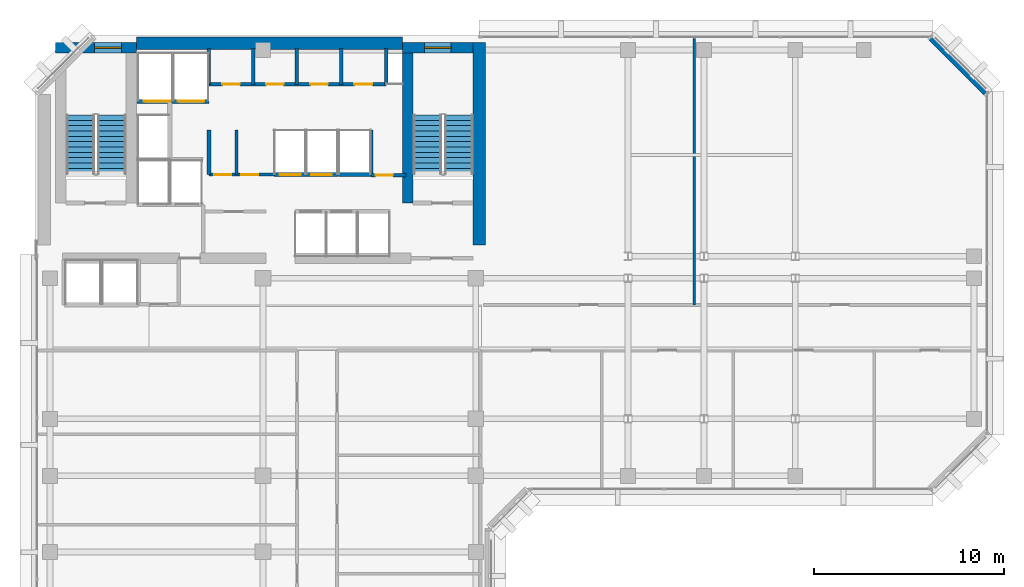
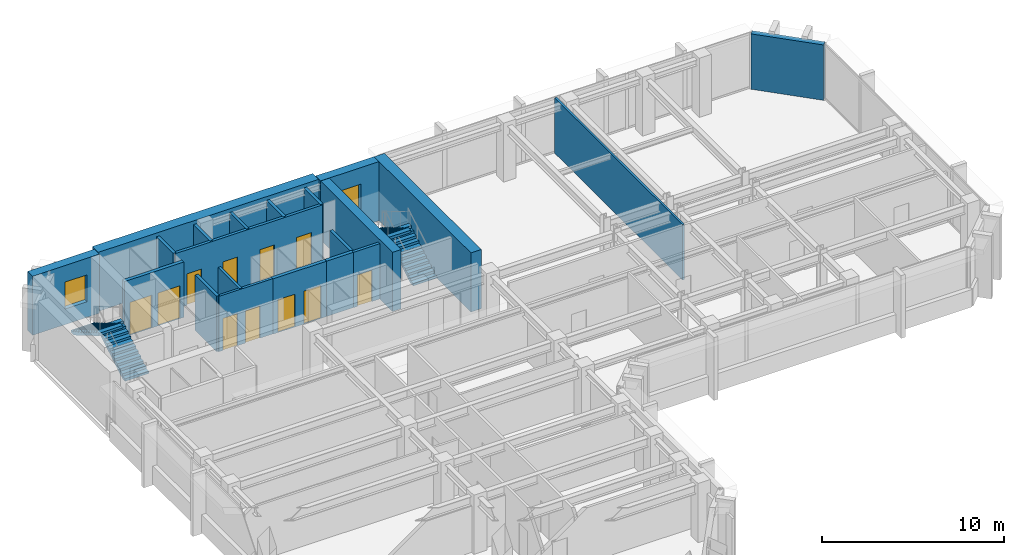
# One storey, part 8 of 12: 21 walls, 11 doors, 4 stair flights, 2 windows, 13 openings, 2 elements without a shape of their own.
"""IFC4 building model written with IfcOpenShell, lengths in metres."""

from ifc_helpers import new_model, si_unit, direction, frame, frame_2d, origin, place, context, subcontext, project, spatial, polyline, rectangle, outline, extrude, material, layer, layer_set, type_object, element, fill, aggregate, save


model = new_model("IFC4")

# Units and contexts
model_context = context("Model", 3, precision=1e-05, world=origin(), true_north=direction((0.0, 1.0)))
body_context = subcontext(model_context, "Body", "Model", "MODEL_VIEW")
ifc_project = project(units=[si_unit("LENGTHUNIT", "METRE"), si_unit("AREAUNIT", "SQUARE_METRE"), si_unit("VOLUMEUNIT", "CUBIC_METRE"), si_unit("PLANEANGLEUNIT", "RADIAN"), si_unit("MASSUNIT", "GRAM", prefix="KILO")], contexts=[model_context])

# Site, building, storey
site_placement = place(None, origin())
site = spatial("IfcSite", under=ifc_project, at=site_placement, CompositionType="ELEMENT")
building_placement = place(site_placement, origin())
building = spatial("IfcBuilding", under=site, at=building_placement, Name="Kefirva Bronze Tower", CompositionType="ELEMENT")
storey_placement = place(building_placement, frame((0.0, 0.0, 211.199951171875)))
storey = spatial("IfcBuildingStorey", under=building, at=storey_placement, Name="L51", CompositionType="ELEMENT", Elevation=211.199951171875)

# Wall
ifc_material_1 = material(Name="Gypsum acoustic partition")
ifc_layer_1 = layer(ifc_material_1, 0.1298828125, Name="Gypsum acoustic partition")
ifc_layer_set_1 = layer_set([ifc_layer_1], Name="Gypsum acoustic partition")
wall_type_1 = type_object("IfcWallType", Name="Acoustic Office Partition 130mm", PredefinedType="PARTITIONING", material=ifc_layer_set_1)
wall_1_placement = place(storey_placement, frame((34.692138671875, 31.800048828125, 0.0), z_axis=(0.0, 0.0, 1.0), x_axis=(0.0, 1.0, 0.0)))
element("IfcWall", 1, at=wall_1_placement, inside=storey, type_object=wall_type_1, Name="L51 Partition W-L51-END1", PredefinedType="PARTITIONING", context=body_context, shape_type="SweptSolid", body=[
    extrude(rectangle(XDim=14.010009765625, YDim=0.1298828125, at=frame_2d((7.0048828125, 0.0))), origin(), (0.0, 0.0, 1.0), 3.7099609375),
])

# Wall, openings, doors
ifc_material_2 = material(Name="Gypsum fireboard shaftwall")
ifc_layer_2 = layer(ifc_material_2, 0.219970703125, Name="Gypsum fireboard shaftwall")
ifc_layer_set_2 = layer_set([ifc_layer_2], Name="Gypsum fireboard shaftwall")
wall_type_2 = type_object("IfcWallType", Name="Fire-Rated Shaft Enclosure Wall 220mm", PredefinedType="PARTITIONING", material=ifc_layer_set_2)
wall_2_placement = place(storey_placement, frame((5.3798828125, 42.5, 0.0), z_axis=(0.0, 0.0, 1.0), x_axis=(1.0, 0.0, 0.0)))
wall_2 = element("IfcWall", 2, at=wall_2_placement, inside=storey, type_object=wall_type_2, Name="L51 Partition W-L51-SVS", PredefinedType="PARTITIONING", context=body_context, shape_type="SweptSolid", body=[
    extrude(rectangle(XDim=3.77001953125, YDim=0.219970703125, at=frame_2d((1.885009765625, 0.0))), origin(), (0.0, 0.0, 1.0), 3.7099609375),
])
opening_1_placement = place(wall_2_placement, frame((1.75, 0.0, 0.0), z_axis=(0.0, 0.0, 1.0), x_axis=(-1.0, 0.0, 0.0)))
opening_1 = element("IfcOpeningElement", 3, at=opening_1_placement, cuts=wall_2, Name="Opening L51-LD-SV1", PredefinedType="OPENING", context=body_context, shape_type="SweptSolid", body=[
    extrude(rectangle(XDim=1.39990234375, YDim=2.199951171875, at=frame_2d((0.699951171875, 1.10009765625))), frame((0.0, 0.1201171875, 0.0), z_axis=(0.0, -1.0, 0.0), x_axis=(1.0, 0.0, 0.0)), (0.0, 0.0, 1.0), 0.239990234375),
])
opening_2_placement = place(wall_2_placement, frame((3.52978515625, 0.0, 0.0), z_axis=(0.0, 0.0, 1.0), x_axis=(-1.0, 0.0, 0.0)))
opening_2 = element("IfcOpeningElement", 4, at=opening_2_placement, cuts=wall_2, Name="Opening L51-LD-SV2", PredefinedType="OPENING", context=body_context, shape_type="SweptSolid", body=[
    extrude(rectangle(XDim=1.39990234375, YDim=2.199951171875, at=frame_2d((0.699951171875, 1.10009765625))), frame((0.0, 0.1201171875, 0.0), z_axis=(0.0, -1.0, 0.0), x_axis=(1.0, 0.0, 0.0)), (0.0, 0.0, 1.0), 0.239990234375),
])
ifc_material_3 = material(Name="Stainless steel 316", Category="steel")
door_type_1 = type_object("IfcDoorType", Name="Goods Lift Bi-Parting Sliding Door 1400x2200", OperationType="SLIDING_TO_LEFT", PredefinedType="DOOR", material=ifc_material_3)
door_1_placement = place(opening_1_placement, origin())
door_1 = element("IfcDoor", 5, at=door_1_placement, inside=storey, type_object=door_type_1, Name="Door L51-LD-SV1", OperationType="SLIDING_TO_LEFT", OverallHeight=2.199951171875, OverallWidth=1.39990234375, PredefinedType="DOOR", context=body_context, shape_type="SweptSolid", body=[
    extrude(rectangle(XDim=1.39990234375, YDim=2.199951171875, at=frame_2d((0.699951171875, 1.10009765625))), frame((0.0, 0.02490234375, 0.0), z_axis=(0.0, -1.0, 0.0), x_axis=(1.0, 0.0, 0.0)), (0.0, 0.0, 1.0), 0.050048828125),
])
fill(opening_1, door_1)
door_2_placement = place(opening_2_placement, origin())
door_2 = element("IfcDoor", 6, at=door_2_placement, inside=storey, type_object=door_type_1, Name="Door L51-LD-SV2", OperationType="SLIDING_TO_LEFT", OverallHeight=2.199951171875, OverallWidth=1.39990234375, PredefinedType="DOOR", context=body_context, shape_type="SweptSolid", body=[
    extrude(rectangle(XDim=1.39990234375, YDim=2.199951171875, at=frame_2d((0.699951171875, 1.10009765625))), frame((0.0, 0.02490234375, 0.0), z_axis=(0.0, -1.0, 0.0), x_axis=(1.0, 0.0, 0.0)), (0.0, 0.0, 1.0), 0.050048828125),
])
fill(opening_2, door_2)

# Walls
for number, where, z_axis, x_axis, name in (
    (7, (9.159912109375, 38.64990234375, 0.0), (0.0, 0.0, 1.0), (0.0, 1.0, 0.0), "L51 Partition W-L51-LP3W"),
    (8, (17.679931640625, 38.64990234375, 0.0), (0.0, 0.0, 1.0), (0.0, 1.0, 0.0), "L51 Partition W-L51-HP2E"),
):
    element("IfcWall", number, at=place(storey_placement, frame(where, z_axis=z_axis, x_axis=x_axis)), inside=storey, type_object=wall_type_2, Name=name, PredefinedType="PARTITIONING", context=body_context, shape_type="SweptSolid", body=[
        extrude(rectangle(XDim=2.35009765625, YDim=0.199951171875, at=frame_2d((1.175048828125, 0.0))), origin(), (0.0, 0.0, 1.0), 3.7099609375),
    ])

# Wall, openings, doors
wall_3_placement = place(storey_placement, frame((12.580078125, 38.64990234375, 0.0), z_axis=(0.0, 0.0, 1.0), x_axis=(1.0, 0.0, 0.0)))
wall_3 = element("IfcWall", 9, at=wall_3_placement, inside=storey, type_object=wall_type_2, Name="L51 Partition W-L51-MPN", PredefinedType="PARTITIONING", context=body_context, shape_type="SweptSolid", body=[
    extrude(rectangle(XDim=3.3798828125, YDim=0.219970703125, at=frame_2d((1.68994140625, 0.0))), origin(), (0.0, 0.0, 1.0), 3.7099609375),
])
opening_3_placement = place(wall_3_placement, frame((0.300048828125, 0.0, 0.0)))
opening_3 = element("IfcOpeningElement", 10, at=opening_3_placement, cuts=wall_3, Name="Opening L51-LD-MP3", PredefinedType="OPENING", context=body_context, shape_type="SweptSolid", body=[
    extrude(rectangle(XDim=1.10009765625, YDim=2.199951171875, at=frame_2d((0.550048828125, 1.10009765625))), frame((0.0, 0.1201171875, 0.0), z_axis=(0.0, -1.0, 0.0), x_axis=(1.0, 0.0, 0.0)), (0.0, 0.0, 1.0), 0.239990234375),
])
opening_4_placement = place(wall_3_placement, frame((1.949951171875, 0.0, 0.0)))
opening_4 = element("IfcOpeningElement", 11, at=opening_4_placement, cuts=wall_3, Name="Opening L51-LD-MP4", PredefinedType="OPENING", context=body_context, shape_type="SweptSolid", body=[
    extrude(rectangle(XDim=1.10009765625, YDim=2.199951171875, at=frame_2d((0.550048828125, 1.10009765625))), frame((0.0, 0.1201171875, 0.0), z_axis=(0.0, -1.0, 0.0), x_axis=(1.0, 0.0, 0.0)), (0.0, 0.0, 1.0), 0.239990234375),
])
door_type_2 = type_object("IfcDoorType", Name="Passenger Lift Sliding Landing Door 1100x2200", OperationType="SLIDING_TO_LEFT", PredefinedType="DOOR", material=ifc_material_3)
door_3_placement = place(opening_3_placement, origin())
door_3 = element("IfcDoor", 12, at=door_3_placement, inside=storey, type_object=door_type_2, Name="Door L51-LD-MP3", OperationType="SLIDING_TO_RIGHT", OverallHeight=2.199951171875, OverallWidth=1.10009765625, PredefinedType="DOOR", context=body_context, shape_type="SweptSolid", body=[
    extrude(rectangle(XDim=1.10009765625, YDim=2.199951171875, at=frame_2d((0.550048828125, 1.10009765625))), frame((0.0, 0.02490234375, 0.0), z_axis=(0.0, -1.0, 0.0), x_axis=(1.0, 0.0, 0.0)), (0.0, 0.0, 1.0), 0.050048828125),
])
fill(opening_3, door_3)
door_4_placement = place(opening_4_placement, origin())
door_4 = element("IfcDoor", 13, at=door_4_placement, inside=storey, type_object=door_type_2, Name="Door L51-LD-MP4", OperationType="SLIDING_TO_RIGHT", OverallHeight=2.199951171875, OverallWidth=1.10009765625, PredefinedType="DOOR", context=body_context, shape_type="SweptSolid", body=[
    extrude(rectangle(XDim=1.10009765625, YDim=2.199951171875, at=frame_2d((0.550048828125, 1.10009765625))), frame((0.0, 0.02490234375, 0.0), z_axis=(0.0, -1.0, 0.0), x_axis=(1.0, 0.0, 0.0)), (0.0, 0.0, 1.0), 0.050048828125),
])
fill(opening_4, door_4)

# Wall
wall_4_placement = place(storey_placement, frame((15.97998046875, 38.64990234375, 0.0), z_axis=(0.0, 0.0, 1.0), x_axis=(1.0, 0.0, 0.0)))
element("IfcWall", 14, at=wall_4_placement, inside=storey, type_object=wall_type_2, Name="L51 Partition W-L51-HPN", PredefinedType="PARTITIONING", context=body_context, shape_type="SweptSolid", body=[
    extrude(rectangle(XDim=1.719970703125, YDim=0.219970703125, at=frame_2d((0.85986328125, 0.0))), origin(), (0.0, 0.0, 1.0), 3.7099609375),
])

# Wall, opening, door
ifc_material_4 = material(Name="Gypsum fireboard barrier")
ifc_layer_3 = layer(ifc_material_4, 0.199951171875, Name="Gypsum fireboard barrier")
ifc_layer_set_3 = layer_set([ifc_layer_3], Name="Gypsum fireboard barrier")
wall_type_3 = type_object("IfcWallType", Name="Firefighting Lobby Barrier Wall 200mm", PredefinedType="PARTITIONING", material=ifc_layer_set_3)
wall_5_placement = place(storey_placement, frame((17.679931640625, 38.6201171875, 0.0), z_axis=(0.0, 0.0, 1.0), x_axis=(1.0, 0.0, 0.0)))
wall_5 = element("IfcWall", 15, at=wall_5_placement, inside=storey, type_object=wall_type_3, Name="L51 Partition W-L51-CPASS", PredefinedType="PARTITIONING", context=body_context, shape_type="SweptSolid", body=[
    extrude(rectangle(XDim=1.840087890625, YDim=0.179931640625, at=frame_2d((0.919921875, 0.0))), origin(), (0.0, 0.0, 1.0), 3.7099609375),
])
opening_5_placement = place(wall_5_placement, frame((0.239990234375, 0.0, 0.0)))
opening_5 = element("IfcOpeningElement", 16, at=opening_5_placement, cuts=wall_5, Name="Opening L51-D-CPAS", PredefinedType="OPENING", context=body_context, shape_type="SweptSolid", body=[
    extrude(rectangle(XDim=0.919921875, YDim=2.10009765625, at=frame_2d((0.4599609375, 1.050048828125))), frame((0.0, 0.10009765625, 0.0), z_axis=(0.0, -1.0, 0.0), x_axis=(1.0, 0.0, 0.0)), (0.0, 0.0, 1.0), 0.199951171875),
])
ifc_material_5 = material(Name="Moisture-resistant timber", Category="wood")
door_type_3 = type_object("IfcDoorType", Name="Accessible Sanitary & WC Door 920x2100", OperationType="NOTDEFINED", PredefinedType="DOOR", material=ifc_material_5)
door_5_placement = place(opening_5_placement, origin())
door_5 = element("IfcDoor", 17, at=door_5_placement, inside=storey, type_object=door_type_3, Name="Door L51-D-CPAS", OperationType="SINGLE_SWING_LEFT", OverallHeight=2.10009765625, OverallWidth=0.919921875, PredefinedType="DOOR", context=body_context, shape_type="SweptSolid", body=[
    extrude(rectangle(XDim=0.919921875, YDim=2.10009765625, at=frame_2d((0.4599609375, 1.050048828125))), frame((0.0, 0.02490234375, 0.0), z_axis=(0.0, -1.0, 0.0), x_axis=(1.0, 0.0, 0.0)), (0.0, 0.0, 1.0), 0.050048828125),
])
fill(opening_5, door_5)

# Wall
ifc_material_6 = material(Name="Precast concrete C40/50", Category="concrete")
ifc_layer_4 = layer(ifc_material_6, 0.320068359375, Name="Precast concrete C40/50")
ifc_layer_set_4 = layer_set([ifc_layer_4], Name="Precast concrete C40/50")
wall_type_4 = type_object("IfcWallType", Name="Precast Insulated Exterior Wall 320mm", PredefinedType="SOLIDWALL", material=ifc_layer_set_4)
wall_6_placement = place(storey_placement, frame((50.048095703125, 42.92578125, 0.0), z_axis=(0.0, 0.0, 1.0), x_axis=(-0.707136318428, 0.707077242712, 0.0)))
element("IfcWall", 18, at=wall_6_placement, inside=storey, type_object=wall_type_4, Name="L51 Exterior Facade Wall 8", PredefinedType="SOLIDWALL", context=body_context, shape_type="SweptSolid", body=[
    extrude(rectangle(XDim=4.132568359375, YDim=0.320068359375, at=frame_2d((2.06640625, 0.0))), origin(), (0.0, 0.0, 1.0), 3.7099609375),
])

# Wall, openings, doors
ifc_layer_5 = layer(ifc_material_1, 0.159912109375, Name="Gypsum acoustic partition")
ifc_layer_set_5 = layer_set([ifc_layer_5], Name="Gypsum acoustic partition")
wall_type_5 = type_object("IfcWallType", Name="Protected Corridor Partition 160mm", PredefinedType="PARTITIONING", material=ifc_layer_set_5)
wall_7_placement = place(storey_placement, frame((9.159912109375, 38.64990234375, 0.0), z_axis=(0.0, 0.0, 1.0), x_axis=(1.0, 0.0, 0.0)))
wall_7 = element("IfcWall", 19, at=wall_7_placement, inside=storey, type_object=wall_type_5, Name="L51 Partition W-L51-RECLP2", PredefinedType="PARTITIONING", context=body_context, shape_type="SweptSolid", body=[
    extrude(rectangle(XDim=3.420166015625, YDim=0.159912109375, at=frame_2d((1.7099609375, 0.0))), origin(), (0.0, 0.0, 1.0), 3.7099609375),
])
opening_6_placement = place(wall_7_placement, frame((1.179931640625, 0.0, 0.0), z_axis=(0.0, 0.0, 1.0), x_axis=(-1.0, 0.0, 0.0)))
opening_6 = element("IfcOpeningElement", 20, at=opening_6_placement, cuts=wall_7, Name="Opening L51-D-RECLP2A", PredefinedType="OPENING", context=body_context, shape_type="SweptSolid", body=[
    extrude(rectangle(XDim=0.89990234375, YDim=2.14990234375, at=frame_2d((0.449951171875, 1.074951171875))), frame((0.0, 0.08984375, 0.0), z_axis=(0.0, -1.0, 0.0), x_axis=(1.0, 0.0, 0.0)), (0.0, 0.0, 1.0), 0.179931640625),
])
opening_7_placement = place(wall_7_placement, frame((2.599853515625, 0.0, 0.0), z_axis=(0.0, 0.0, 1.0), x_axis=(-1.0, 0.0, 0.0)))
opening_7 = element("IfcOpeningElement", 21, at=opening_7_placement, cuts=wall_7, Name="Opening L51-D-RECLP2B", PredefinedType="OPENING", context=body_context, shape_type="SweptSolid", body=[
    extrude(rectangle(XDim=0.89990234375, YDim=2.14990234375, at=frame_2d((0.449951171875, 1.074951171875))), frame((0.0, 0.08984375, 0.0), z_axis=(0.0, -1.0, 0.0), x_axis=(1.0, 0.0, 0.0)), (0.0, 0.0, 1.0), 0.179931640625),
])
ifc_material_7 = material(Name="Painted galvanized steel", Category="steel")
door_type_4 = type_object("IfcDoorType", Name="Core Archive & Server Fire Door 900x2150 FD60S", OperationType="NOTDEFINED", PredefinedType="DOOR", material=ifc_material_7)
door_6_placement = place(opening_6_placement, origin())
door_6 = element("IfcDoor", 22, at=door_6_placement, inside=storey, type_object=door_type_4, Name="Door L51-D-RECLP2A", OperationType="SINGLE_SWING_RIGHT", OverallHeight=2.14990234375, OverallWidth=0.89990234375, PredefinedType="DOOR", context=body_context, shape_type="SweptSolid", body=[
    extrude(rectangle(XDim=0.89990234375, YDim=2.14990234375, at=frame_2d((0.449951171875, 1.074951171875))), frame((0.0, 0.02490234375, 0.0), z_axis=(0.0, -1.0, 0.0), x_axis=(1.0, 0.0, 0.0)), (0.0, 0.0, 1.0), 0.050048828125),
])
fill(opening_6, door_6)
door_7_placement = place(opening_7_placement, origin())
door_7 = element("IfcDoor", 23, at=door_7_placement, inside=storey, type_object=door_type_4, Name="Door L51-D-RECLP2B", OperationType="SINGLE_SWING_LEFT", OverallHeight=2.14990234375, OverallWidth=0.89990234375, PredefinedType="DOOR", context=body_context, shape_type="SweptSolid", body=[
    extrude(rectangle(XDim=0.89990234375, YDim=2.14990234375, at=frame_2d((0.449951171875, 1.074951171875))), frame((0.0, 0.02490234375, 0.0), z_axis=(0.0, -1.0, 0.0), x_axis=(1.0, 0.0, 0.0)), (0.0, 0.0, 1.0), 0.050048828125),
])
fill(opening_7, door_7)

# Wall
wall_8_placement = place(storey_placement, frame((10.60009765625, 38.64990234375, 0.0), z_axis=(0.0, 0.0, 1.0), x_axis=(0.0, 1.0, 0.0)))
element("IfcWall", 24, at=wall_8_placement, inside=storey, type_object=wall_type_5, Name="L51 Partition W-L51-RECLP2D", PredefinedType="PARTITIONING", context=body_context, shape_type="SweptSolid", body=[
    extrude(rectangle(XDim=2.35009765625, YDim=0.159912109375, at=frame_2d((1.175048828125, 0.0))), origin(), (0.0, 0.0, 1.0), 3.7099609375),
])

# Wall, opening, window
ifc_material_8 = material(Name="Concrete C50/60", Category="concrete")
ifc_layer_6 = layer(ifc_material_8, 0.550048828125, Name="Concrete C50/60")
ifc_layer_set_6 = layer_set([ifc_layer_6], Name="Concrete C50/60")
wall_type_6 = type_object("IfcWallType", Name="RC Rear Core Exterior Wall 550mm", PredefinedType="SHEAR", material=ifc_layer_set_6)
wall_9_placement = place(storey_placement, frame((1.10009765625, 45.320068359375, 0.0), z_axis=(0.0, 0.0, 1.0), x_axis=(1.0, 0.0, 0.0)))
wall_9 = element("IfcWall", 25, at=wall_9_placement, inside=storey, type_object=wall_type_6, Name="L51 Stair 1 North Shear Wall", PredefinedType="SHEAR", context=body_context, shape_type="SweptSolid", body=[
    extrude(rectangle(XDim=4.239990234375, YDim=0.550048828125, at=frame_2d((2.1201171875, 0.0))), origin(), (0.0, 0.0, 1.0), 3.9599609375),
])
opening_8_placement = place(wall_9_placement, frame((2.050048828125, 0.0, 1.050048828125)))
opening_8 = element("IfcOpeningElement", 26, at=opening_8_placement, cuts=wall_9, Name="Opening WN-03", PredefinedType="OPENING", context=body_context, shape_type="SweptSolid", body=[
    extrude(rectangle(XDim=1.39990234375, YDim=1.800048828125, at=frame_2d((0.699951171875, 0.89990234375))), frame((0.0, 0.28515625, 0.0), z_axis=(0.0, -1.0, 0.0), x_axis=(1.0, 0.0, 0.0)), (0.0, 0.0, 1.0), 0.570068359375),
])
ifc_material_9 = material(Name="Laminated low-E double glazing", Category="glass")
window_type = type_object("IfcWindowType", Name="Rear-Core Stair Daylight Window 1400x1800", PartitioningType="SINGLE_PANEL", PredefinedType="WINDOW", material=ifc_material_9)
window_1_placement = place(opening_8_placement, origin())
window_1 = element("IfcWindow", 27, at=window_1_placement, inside=storey, type_object=window_type, Name="L51 Stair 1 Daylight Window", OverallHeight=1.800048828125, OverallWidth=1.39990234375, PartitioningType="SINGLE_PANEL", PredefinedType="WINDOW", context=body_context, shape_type="SweptSolid", body=[
    extrude(rectangle(XDim=1.39990234375, YDim=1.800048828125, at=frame_2d((0.699951171875, 0.89990234375))), frame((0.0, 0.030029296875, 0.0), z_axis=(0.0, -1.0, 0.0), x_axis=(1.0, 0.0, 0.0)), (0.0, 0.0, 1.0), 0.06005859375),
])
fill(opening_8, window_1)

wall_10_placement = place(storey_placement, frame((19.35009765625, 45.320068359375, 0.0), z_axis=(0.0, 0.0, 1.0), x_axis=(1.0, 0.0, 0.0)))
wall_10 = element("IfcWall", 28, at=wall_10_placement, inside=storey, type_object=wall_type_6, Name="L51 Stair 2 North Shear Wall", PredefinedType="SHEAR", context=body_context, shape_type="SweptSolid", body=[
    extrude(rectangle(XDim=3.68994140625, YDim=0.550048828125, at=frame_2d((1.844970703125, 0.0))), origin(), (0.0, 0.0, 1.0), 3.9599609375),
])
opening_9_placement = place(wall_10_placement, frame((1.14990234375, 0.0, 1.050048828125)))
opening_9 = element("IfcOpeningElement", 29, at=opening_9_placement, cuts=wall_10, Name="Opening WN-03", PredefinedType="OPENING", context=body_context, shape_type="SweptSolid", body=[
    extrude(rectangle(XDim=1.39990234375, YDim=1.800048828125, at=frame_2d((0.699951171875, 0.89990234375))), frame((0.0, 0.28515625, 0.0), z_axis=(0.0, -1.0, 0.0), x_axis=(1.0, 0.0, 0.0)), (0.0, 0.0, 1.0), 0.570068359375),
])
window_2_placement = place(opening_9_placement, origin())
window_2 = element("IfcWindow", 30, at=window_2_placement, inside=storey, type_object=window_type, Name="L51 Stair 2 Daylight Window", OverallHeight=1.800048828125, OverallWidth=1.39990234375, PartitioningType="SINGLE_PANEL", PredefinedType="WINDOW", context=body_context, shape_type="SweptSolid", body=[
    extrude(rectangle(XDim=1.39990234375, YDim=1.800048828125, at=frame_2d((0.699951171875, 0.89990234375))), frame((0.0, 0.030029296875, 0.0), z_axis=(0.0, -1.0, 0.0), x_axis=(1.0, 0.0, 0.0)), (0.0, 0.0, 1.0), 0.06005859375),
])
fill(opening_9, window_2)

# Walls
ifc_layer_7 = layer(ifc_material_8, 0.64990234375, Name="Concrete C50/60")
ifc_layer_set_7 = layer_set([ifc_layer_7], Name="Concrete C50/60")
wall_type_7 = type_object("IfcWallType", Name="RC Rear Core Exterior Wall 650mm", PredefinedType="SHEAR", material=ifc_layer_set_7)
wall_11_placement = place(storey_placement, frame((5.360107421875, 45.550048828125, 0.0), z_axis=(0.0, 0.0, 1.0), x_axis=(1.0, 0.0, 0.0)))
element("IfcWall", 31, at=wall_11_placement, inside=storey, type_object=wall_type_7, Name="L51 Rear Core North Shear Wall", PredefinedType="SHEAR", context=body_context, shape_type="SweptSolid", body=[
    extrude(rectangle(XDim=13.97998046875, YDim=0.64990234375, at=frame_2d((6.989990234375, 0.0))), origin(), (0.0, 0.0, 1.0), 3.9599609375),
])
ifc_layer_8 = layer(ifc_material_8, 0.550048828125, Name="Concrete C50/60")
ifc_layer_set_8 = layer_set([ifc_layer_8], Name="Concrete C50/60")
wall_type_8 = type_object("IfcWallType", Name="RC Rear Core Interior Wall 550mm", PredefinedType="SHEAR", material=ifc_layer_set_8)
wall_12_placement = place(storey_placement, frame((19.6201171875, 37.14990234375, 0.0), z_axis=(0.0, 0.0, 1.0), x_axis=(0.0, 1.0, 0.0)))
element("IfcWall", 32, at=wall_12_placement, inside=storey, type_object=wall_type_8, Name="L51 Stair 2 West Shear Wall", PredefinedType="SHEAR", context=body_context, shape_type="SweptSolid", body=[
    extrude(rectangle(XDim=7.89013671875, YDim=0.550048828125, at=frame_2d((3.945068359375, 0.0))), origin(), (0.0, 0.0, 1.0), 3.9599609375),
])
ifc_layer_9 = layer(ifc_material_8, 0.64990234375, Name="Concrete C50/60")
ifc_layer_set_9 = layer_set([ifc_layer_9], Name="Concrete C50/60")
wall_type_9 = type_object("IfcWallType", Name="RC Rear Core Interior Wall 650mm", PredefinedType="SHEAR", material=ifc_layer_set_9)
wall_13_placement = place(storey_placement, frame((23.375, 34.949951171875, 0.0), z_axis=(0.0, 0.0, 1.0), x_axis=(0.0, 1.0, 0.0)))
element("IfcWall", 33, at=wall_13_placement, inside=storey, type_object=wall_type_9, Name="L51 Rear Core East Shear Wall", PredefinedType="SHEAR", context=body_context, shape_type="SweptSolid", body=[
    extrude(rectangle(XDim=10.64013671875, YDim=0.64990234375, at=frame_2d((5.320068359375, 0.0))), origin(), (0.0, 0.0, 1.0), 3.9599609375),
])

# Wall, openings, doors
ifc_material_10 = material(Name="Moisture-resistant partition")
ifc_layer_10 = layer(ifc_material_10, 0.179931640625, Name="Moisture-resistant partition")
ifc_layer_set_10 = layer_set([ifc_layer_10], Name="Moisture-resistant partition")
wall_type_10 = type_object("IfcWallType", Name="Sanitary Plumbing Chase Wall 180mm", PredefinedType="PLUMBINGWALL", material=ifc_layer_set_10)
wall_14_placement = place(storey_placement, frame((9.14990234375, 43.39990234375, 0.0), z_axis=(0.0, 0.0, 1.0), x_axis=(1.0, 0.0, 0.0)))
wall_14 = element("IfcWall", 34, at=wall_14_placement, inside=storey, type_object=wall_type_10, Name="L51 Partition W-L51-SVCS", PredefinedType="PLUMBINGWALL", context=body_context, shape_type="SweptSolid", body=[
    extrude(rectangle(XDim=9.330078125, YDim=0.179931640625, at=frame_2d((4.6650390625, 0.0))), origin(), (0.0, 0.0, 1.0), 3.7099609375),
])
opening_10_placement = place(wall_14_placement, frame((0.719970703125, 0.0, 0.0)))
opening_10 = element("IfcOpeningElement", 35, at=opening_10_placement, cuts=wall_14, Name="Opening L51-D-CSVC1", PredefinedType="OPENING", context=body_context, shape_type="SweptSolid", body=[
    extrude(rectangle(XDim=0.919921875, YDim=2.10009765625, at=frame_2d((0.4599609375, 1.050048828125))), frame((0.0, 0.10009765625, 0.0), z_axis=(0.0, -1.0, 0.0), x_axis=(1.0, 0.0, 0.0)), (0.0, 0.0, 1.0), 0.199951171875),
])
opening_11_placement = place(wall_14_placement, frame((3.02001953125, 0.0, 0.0)))
opening_11 = element("IfcOpeningElement", 36, at=opening_11_placement, cuts=wall_14, Name="Opening L51-D-CSVC2", PredefinedType="OPENING", context=body_context, shape_type="SweptSolid", body=[
    extrude(rectangle(XDim=0.919921875, YDim=2.10009765625, at=frame_2d((0.4599609375, 1.050048828125))), frame((0.0, 0.10009765625, 0.0), z_axis=(0.0, -1.0, 0.0), x_axis=(1.0, 0.0, 0.0)), (0.0, 0.0, 1.0), 0.199951171875),
])
opening_12_placement = place(wall_14_placement, frame((5.340087890625, 0.0, 0.0)))
opening_12 = element("IfcOpeningElement", 37, at=opening_12_placement, cuts=wall_14, Name="Opening L51-D-CSVC3", PredefinedType="OPENING", context=body_context, shape_type="SweptSolid", body=[
    extrude(rectangle(XDim=0.919921875, YDim=2.10009765625, at=frame_2d((0.4599609375, 1.050048828125))), frame((0.0, 0.10009765625, 0.0), z_axis=(0.0, -1.0, 0.0), x_axis=(1.0, 0.0, 0.0)), (0.0, 0.0, 1.0), 0.199951171875),
])
opening_13_placement = place(wall_14_placement, frame((7.659912109375, 0.0, 0.0)))
opening_13 = element("IfcOpeningElement", 38, at=opening_13_placement, cuts=wall_14, Name="Opening L51-D-CSVC4", PredefinedType="OPENING", context=body_context, shape_type="SweptSolid", body=[
    extrude(rectangle(XDim=0.949951171875, YDim=2.10009765625, at=frame_2d((0.47509765625, 1.050048828125))), frame((0.0, 0.10009765625, 0.0), z_axis=(0.0, -1.0, 0.0), x_axis=(1.0, 0.0, 0.0)), (0.0, 0.0, 1.0), 0.199951171875),
])
door_8_placement = place(opening_10_placement, origin())
door_8 = element("IfcDoor", 39, at=door_8_placement, inside=storey, type_object=door_type_3, Name="Door L51-D-CSVC1", OperationType="SINGLE_SWING_RIGHT", OverallHeight=2.10009765625, OverallWidth=0.919921875, PredefinedType="DOOR", context=body_context, shape_type="SweptSolid", body=[
    extrude(rectangle(XDim=0.919921875, YDim=2.10009765625, at=frame_2d((0.4599609375, 1.050048828125))), frame((0.0, 0.02490234375, 0.0), z_axis=(0.0, -1.0, 0.0), x_axis=(1.0, 0.0, 0.0)), (0.0, 0.0, 1.0), 0.050048828125),
])
fill(opening_10, door_8)
door_9_placement = place(opening_11_placement, origin())
door_9 = element("IfcDoor", 40, at=door_9_placement, inside=storey, type_object=door_type_3, Name="Door L51-D-CSVC2", OperationType="SINGLE_SWING_LEFT", OverallHeight=2.10009765625, OverallWidth=0.919921875, PredefinedType="DOOR", context=body_context, shape_type="SweptSolid", body=[
    extrude(rectangle(XDim=0.919921875, YDim=2.10009765625, at=frame_2d((0.4599609375, 1.050048828125))), frame((0.0, 0.02490234375, 0.0), z_axis=(0.0, -1.0, 0.0), x_axis=(1.0, 0.0, 0.0)), (0.0, 0.0, 1.0), 0.050048828125),
])
fill(opening_11, door_9)
door_10_placement = place(opening_12_placement, origin())
door_10 = element("IfcDoor", 41, at=door_10_placement, inside=storey, type_object=door_type_3, Name="Door L51-D-CSVC3", OperationType="SINGLE_SWING_RIGHT", OverallHeight=2.10009765625, OverallWidth=0.919921875, PredefinedType="DOOR", context=body_context, shape_type="SweptSolid", body=[
    extrude(rectangle(XDim=0.919921875, YDim=2.10009765625, at=frame_2d((0.4599609375, 1.050048828125))), frame((0.0, 0.02490234375, 0.0), z_axis=(0.0, -1.0, 0.0), x_axis=(1.0, 0.0, 0.0)), (0.0, 0.0, 1.0), 0.050048828125),
])
fill(opening_12, door_10)
door_type_5 = type_object("IfcDoorType", Name="Riser & Plant Shaft Fire Door 950x2100 FD60S", OperationType="NOTDEFINED", PredefinedType="DOOR", material=ifc_material_7)
door_11_placement = place(opening_13_placement, origin())
door_11 = element("IfcDoor", 42, at=door_11_placement, inside=storey, type_object=door_type_5, Name="Door L51-D-CSVC4", OperationType="SINGLE_SWING_LEFT", OverallHeight=2.10009765625, OverallWidth=0.949951171875, PredefinedType="DOOR", context=body_context, shape_type="SweptSolid", body=[
    extrude(rectangle(XDim=0.949951171875, YDim=2.10009765625, at=frame_2d((0.47509765625, 1.050048828125))), frame((0.0, 0.02490234375, 0.0), z_axis=(0.0, -1.0, 0.0), x_axis=(1.0, 0.0, 0.0)), (0.0, 0.0, 1.0), 0.050048828125),
])
fill(opening_13, door_11)

# Walls
for number, where, z_axis, x_axis, name in (
    (43, (9.14990234375, 43.39990234375, 0.0), (0.0, 0.0, 1.0), (0.0, 1.0, 0.0), "L51 Partition W-L51-SVCW"),
    (44, (18.47998046875, 43.39990234375, 0.0), (0.0, 0.0, 1.0), (0.0, 1.0, 0.0), "L51 Partition W-L51-SVCE"),
    (45, (11.47998046875, 43.39990234375, 0.0), (0.0, 0.0, 1.0), (0.0, 1.0, 0.0), "L51 Partition W-L51-CSVD-1"),
    (46, (13.780029296875, 43.39990234375, 0.0), (0.0, 0.0, 1.0), (0.0, 1.0, 0.0), "L51 Partition W-L51-CSVD-2"),
    (47, (16.1201171875, 43.39990234375, 0.0), (0.0, 0.0, 1.0), (0.0, 1.0, 0.0), "L51 Partition W-L51-CSVD-3"),
):
    element("IfcWall", number, at=place(storey_placement, frame(where, z_axis=z_axis, x_axis=x_axis)), inside=storey, type_object=wall_type_10, Name=name, PredefinedType="PLUMBINGWALL", context=body_context, shape_type="SweptSolid", body=[
        extrude(rectangle(XDim=1.880126953125, YDim=0.179931640625, at=frame_2d((0.93994140625, 0.0))), origin(), (0.0, 0.0, 1.0), 3.7099609375),
    ])

# Stair, stair flights
ifc_material_11 = material(Name="Concrete C40/50", Category="concrete")
stair_type = type_object("IfcStairType", Name="RC Dogleg Protected Stair 24R", PredefinedType="HALF_TURN_STAIR", material=ifc_material_11)
stair_1_placement = place(storey_placement, origin())
stair_1 = element("IfcStair", 48, at=stair_1_placement, inside=storey, type_object=stair_type, Name="L51 Protected Exit Stair 1", PredefinedType="HALF_TURN_STAIR")
stair_flight_type = type_object("IfcStairFlightType", Name="RC Straight Stair Flight 24R", PredefinedType="STRAIGHT", material=ifc_material_11)
stair_flight_1_placement = place(storey_placement, frame((4.050048828125, 38.699951171875, 0.0), z_axis=(0.0, 0.0, 1.0), x_axis=(0.0, 1.0, 0.0)))
stair_flight_1 = element("IfcStairFlight", 49, at=stair_flight_1_placement, type_object=stair_flight_type, Name="ST-1 flight 1", NumberOfRisers=12, NumberOfTreads=11, PredefinedType="STRAIGHT", RiserHeight=0.165, TreadLength=0.28, context=body_context, shape_type="SweptSolid", body=[
    extrude(outline(polyline([(0.0, 0.0), (0.0, 0.1650390625), (0.280029296875, 0.1650390625), (0.280029296875, 0.330078125), (0.56005859375, 0.330078125), (0.56005859375, 0.4951171875), (0.840087890625, 0.4951171875), (0.840087890625, 0.659912109375), (1.1201171875, 0.659912109375), (1.1201171875, 0.824951171875), (1.39990234375, 0.824951171875), (1.39990234375, 0.989990234375), (1.679931640625, 0.989990234375), (1.679931640625, 1.155029296875), (1.9599609375, 1.155029296875), (1.9599609375, 1.320068359375), (2.239990234375, 1.320068359375), (2.239990234375, 1.485107421875), (2.52001953125, 1.485107421875), (2.52001953125, 1.64990234375), (2.800048828125, 1.64990234375), (2.800048828125, 1.81494140625), (3.080078125, 1.81494140625), (3.080078125, 1.97998046875), (3.080078125, 1.64111328125), (0.295166015625, 0.0), (0.0, 0.0)])), frame((0.0, 0.75, 0.0), z_axis=(0.0, -1.0, 0.0), x_axis=(1.0, 0.0, 0.0)), (0.0, 0.0, 1.0), 1.5),
])
stair_flight_2_placement = place(storey_placement, frame((2.39990234375, 41.780029296875, 1.97998046875), z_axis=(0.0, 0.0, 1.0), x_axis=(0.0, -1.0, 0.0)))
stair_flight_2 = element("IfcStairFlight", 50, at=stair_flight_2_placement, type_object=stair_flight_type, Name="ST-1 flight 2", NumberOfRisers=12, NumberOfTreads=11, PredefinedType="STRAIGHT", RiserHeight=0.165, TreadLength=0.28, context=body_context, shape_type="SweptSolid", body=[
    extrude(outline(polyline([(0.0, 0.0), (0.0, 0.1650390625), (0.280029296875, 0.1650390625), (0.280029296875, 0.330078125), (0.56005859375, 0.330078125), (0.56005859375, 0.4951171875), (0.840087890625, 0.4951171875), (0.840087890625, 0.659912109375), (1.1201171875, 0.659912109375), (1.1201171875, 0.824951171875), (1.39990234375, 0.824951171875), (1.39990234375, 0.989990234375), (1.679931640625, 0.989990234375), (1.679931640625, 1.155029296875), (1.9599609375, 1.155029296875), (1.9599609375, 1.320068359375), (2.239990234375, 1.320068359375), (2.239990234375, 1.485107421875), (2.52001953125, 1.485107421875), (2.52001953125, 1.64990234375), (2.800048828125, 1.64990234375), (2.800048828125, 1.81494140625), (3.080078125, 1.81494140625), (3.080078125, 1.97998046875), (3.080078125, 1.64111328125), (0.295166015625, 0.0), (0.0, 0.0)])), frame((0.0, 0.75, 0.0), z_axis=(0.0, -1.0, 0.0), x_axis=(1.0, 0.0, 0.0)), (0.0, 0.0, 1.0), 1.5),
])
aggregate(stair_1, [stair_flight_1, stair_flight_2])

stair_2_placement = place(storey_placement, origin())
stair_2 = element("IfcStair", 51, at=stair_2_placement, inside=storey, type_object=stair_type, Name="L51 Protected Exit Stair 2", PredefinedType="HALF_TURN_STAIR")
stair_flight_3_placement = place(storey_placement, frame((22.300048828125, 38.699951171875, 0.0), z_axis=(0.0, 0.0, 1.0), x_axis=(0.0, 1.0, 0.0)))
stair_flight_3 = element("IfcStairFlight", 52, at=stair_flight_3_placement, type_object=stair_flight_type, Name="ST-2 flight 1", NumberOfRisers=12, NumberOfTreads=11, PredefinedType="STRAIGHT", RiserHeight=0.165, TreadLength=0.28, context=body_context, shape_type="SweptSolid", body=[
    extrude(outline(polyline([(0.0, 0.0), (0.0, 0.1650390625), (0.280029296875, 0.1650390625), (0.280029296875, 0.330078125), (0.56005859375, 0.330078125), (0.56005859375, 0.4951171875), (0.840087890625, 0.4951171875), (0.840087890625, 0.659912109375), (1.1201171875, 0.659912109375), (1.1201171875, 0.824951171875), (1.39990234375, 0.824951171875), (1.39990234375, 0.989990234375), (1.679931640625, 0.989990234375), (1.679931640625, 1.155029296875), (1.9599609375, 1.155029296875), (1.9599609375, 1.320068359375), (2.239990234375, 1.320068359375), (2.239990234375, 1.485107421875), (2.52001953125, 1.485107421875), (2.52001953125, 1.64990234375), (2.800048828125, 1.64990234375), (2.800048828125, 1.81494140625), (3.080078125, 1.81494140625), (3.080078125, 1.97998046875), (3.080078125, 1.64111328125), (0.295166015625, 0.0), (0.0, 0.0)])), frame((0.0, 0.75, 0.0), z_axis=(0.0, -1.0, 0.0), x_axis=(1.0, 0.0, 0.0)), (0.0, 0.0, 1.0), 1.5),
])
stair_flight_4_placement = place(storey_placement, frame((20.64990234375, 41.780029296875, 1.97998046875), z_axis=(0.0, 0.0, 1.0), x_axis=(0.0, -1.0, 0.0)))
stair_flight_4 = element("IfcStairFlight", 53, at=stair_flight_4_placement, type_object=stair_flight_type, Name="ST-2 flight 2", NumberOfRisers=12, NumberOfTreads=11, PredefinedType="STRAIGHT", RiserHeight=0.165, TreadLength=0.28, context=body_context, shape_type="SweptSolid", body=[
    extrude(outline(polyline([(0.0, 0.0), (0.0, 0.1650390625), (0.280029296875, 0.1650390625), (0.280029296875, 0.330078125), (0.56005859375, 0.330078125), (0.56005859375, 0.4951171875), (0.840087890625, 0.4951171875), (0.840087890625, 0.659912109375), (1.1201171875, 0.659912109375), (1.1201171875, 0.824951171875), (1.39990234375, 0.824951171875), (1.39990234375, 0.989990234375), (1.679931640625, 0.989990234375), (1.679931640625, 1.155029296875), (1.9599609375, 1.155029296875), (1.9599609375, 1.320068359375), (2.239990234375, 1.320068359375), (2.239990234375, 1.485107421875), (2.52001953125, 1.485107421875), (2.52001953125, 1.64990234375), (2.800048828125, 1.64990234375), (2.800048828125, 1.81494140625), (3.080078125, 1.81494140625), (3.080078125, 1.97998046875), (3.080078125, 1.64111328125), (0.295166015625, 0.0), (0.0, 0.0)])), frame((0.0, 0.75, 0.0), z_axis=(0.0, -1.0, 0.0), x_axis=(1.0, 0.0, 0.0)), (0.0, 0.0, 1.0), 1.5),
])
aggregate(stair_2, [stair_flight_3, stair_flight_4])

save(model, "model.ifc")
